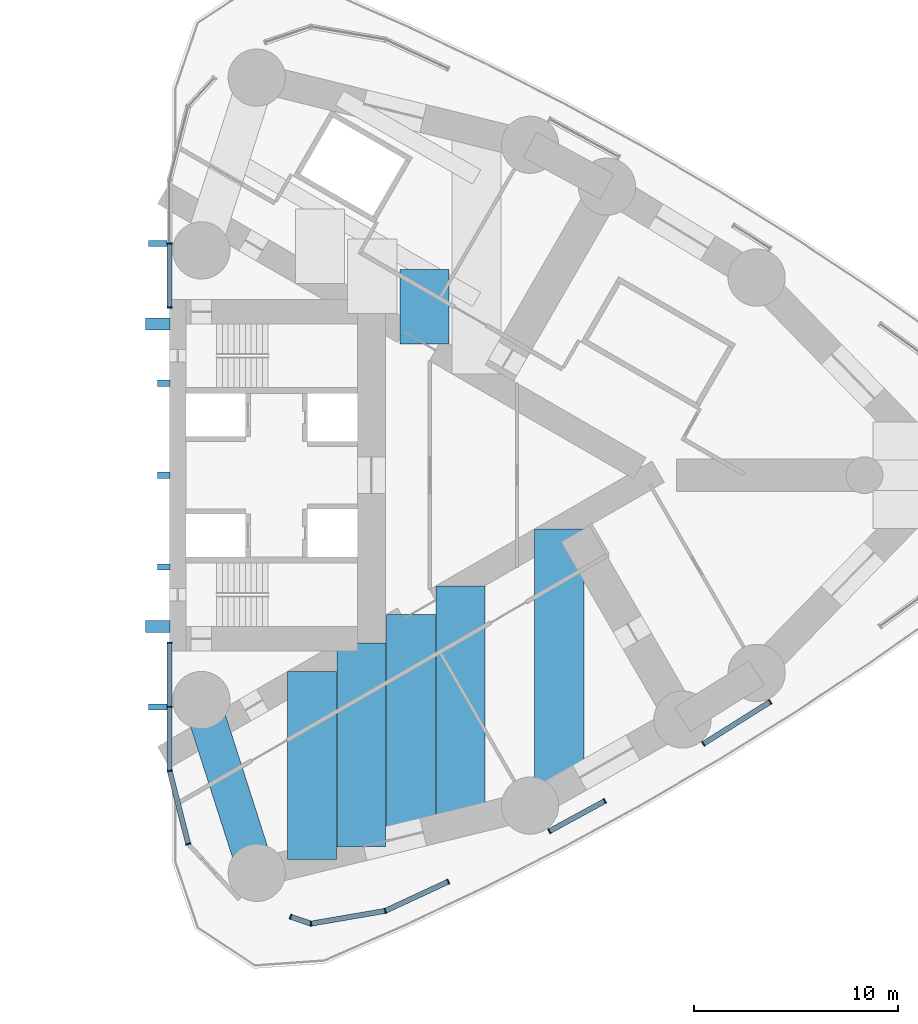
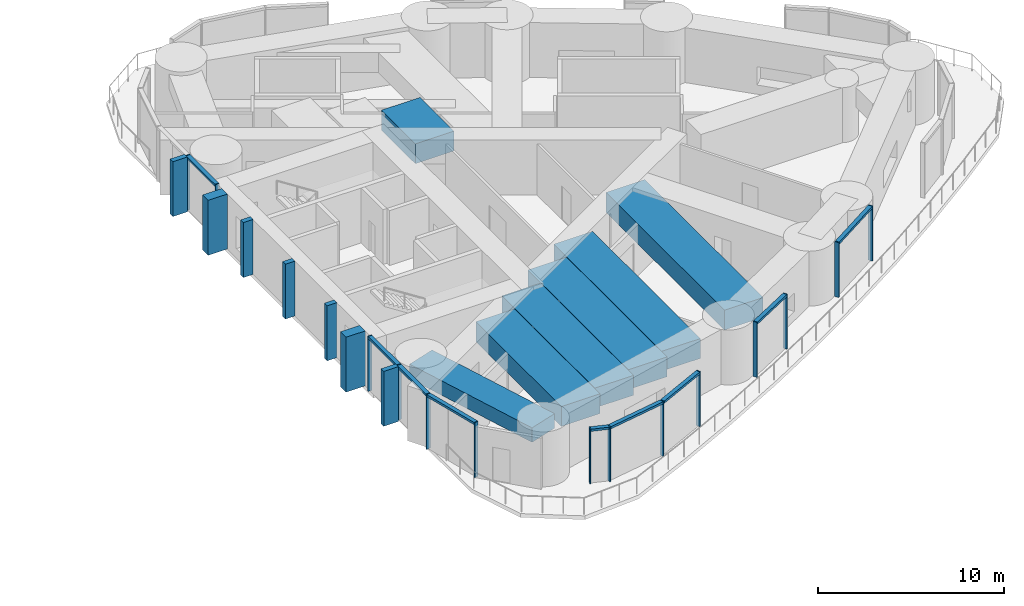
# One storey, part 6 of 17: 30 members, 7 beams, 5 elements without a shape of their own.
"""IFC4 building model written with IfcOpenShell, lengths in metres."""

from ifc_helpers import new_model, si_unit, direction, frame, origin, origin_2d, place, context, subcontext, project, spatial, rectangle, extrude, material, material_profile, profile_set, type_object, element, aggregate, save


model = new_model("IFC4")

# Units and contexts
model_context = context("Model", 3, precision=1e-05, world=origin(), true_north=direction((0.0, 1.0)))
body_context = subcontext(model_context, "Body", "Model", "MODEL_VIEW")
ifc_project = project(units=[si_unit("LENGTHUNIT", "METRE"), si_unit("AREAUNIT", "SQUARE_METRE"), si_unit("VOLUMEUNIT", "CUBIC_METRE"), si_unit("PLANEANGLEUNIT", "RADIAN"), si_unit("MASSUNIT", "GRAM", prefix="KILO")], contexts=[model_context])

# Site, building, storey
site_placement = place(None, origin())
site = spatial("IfcSite", under=ifc_project, at=site_placement, CompositionType="ELEMENT")
building_placement = place(site_placement, origin())
building = spatial("IfcBuilding", under=site, at=building_placement, Name="Lancet Gate Hotel", CompositionType="ELEMENT")
storey_placement = place(building_placement, frame((0.0, 0.0, 152.699951171875)))
storey = spatial("IfcBuildingStorey", under=building, at=storey_placement, Name="L40", CompositionType="ELEMENT", Elevation=152.699951171875)

# Curtain wall, members
ifc_material_1 = material(Name="Aluminium curtain wall", Category="aluminium")
curtain_wall_type = type_object("IfcCurtainWallType", Name="Tower unitised curtain wall", PredefinedType="USERDEFINED", material=ifc_material_1)
curtain_wall_1_placement = place(storey_placement, origin())
curtain_wall_1 = element("IfcCurtainWall", 1, at=curtain_wall_1_placement, inside=storey, type_object=curtain_wall_type, Name="T2 L40 curtain wall 1", ObjectType="UNITISED CURTAIN WALL", PredefinedType="USERDEFINED")
ifc_material_2 = material(Name="Aluminium mullion", Category="aluminium")
ifc_material_profile_1 = material_profile(ifc_material_2, rectangle(XDim=0.06494140625, YDim=0.25, at=origin_2d()), Name="MULLION 65x250")
ifc_profile_set_1 = profile_set([ifc_material_profile_1], Name="Aluminium mullion")
member_type_1 = type_object("IfcMemberType", Name="Aluminium mullion 65x250", PredefinedType="MULLION", material=ifc_profile_set_1)
member_1_placement = place(storey_placement, frame((27.5, -8.199951171875, 0.0), z_axis=(0.0, 0.0, 1.0), x_axis=(0.0, -1.0, 0.0)))
member_1 = element("IfcMember", 2, at=member_1_placement, type_object=member_type_1, Name="T2 L40 curtain wall 1 mullion 1", PredefinedType="MULLION", context=body_context, shape_type="SweptSolid", body=[
    extrude(rectangle(XDim=0.06494140625, YDim=0.25, at=origin_2d()), origin(), (0.0, 0.0, 1.0), 3.60009765625),
])
member_2_placement = place(storey_placement, frame((27.5, -11.332763671875, 0.0), z_axis=(0.0, 0.0, 1.0), x_axis=(0.0, -1.0, 0.0)))
member_2 = element("IfcMember", 3, at=member_2_placement, type_object=member_type_1, Name="T2 L40 curtain wall 1 mullion 2", PredefinedType="MULLION", context=body_context, shape_type="SweptSolid", body=[
    extrude(rectangle(XDim=0.06494140625, YDim=0.25, at=origin_2d()), origin(), (0.0, 0.0, 1.0), 3.60009765625),
])
member_3_placement = place(storey_placement, frame((27.5, -14.465576171875, 0.0), z_axis=(0.0, 0.0, 1.0), x_axis=(0.134206524909, -0.990953383703, 0.0)))
member_3 = element("IfcMember", 4, at=member_3_placement, type_object=member_type_1, Name="T2 L40 curtain wall 1 mullion 3", PredefinedType="MULLION", context=body_context, shape_type="SweptSolid", body=[
    extrude(rectangle(XDim=0.06494140625, YDim=0.25, at=origin_2d()), origin(), (0.0, 0.0, 1.0), 3.60009765625),
])
member_4_placement = place(storey_placement, frame((28.408935546875, -18.04443359375, 0.0), z_axis=(0.0, 0.0, 1.0), x_axis=(0.246166705764, -0.969227503207, 0.0)))
member_4 = element("IfcMember", 5, at=member_4_placement, type_object=member_type_1, Name="T2 L40 curtain wall 1 mullion 4", PredefinedType="MULLION", context=body_context, shape_type="SweptSolid", body=[
    extrude(rectangle(XDim=0.06494140625, YDim=0.25, at=origin_2d()), origin(), (0.0, 0.0, 1.0), 3.60009765625),
])

curtain_wall_2_placement = place(storey_placement, origin())
curtain_wall_2 = element("IfcCurtainWall", 6, at=curtain_wall_2_placement, inside=storey, type_object=curtain_wall_type, Name="T2 L40 curtain wall 2", ObjectType="UNITISED CURTAIN WALL", PredefinedType="USERDEFINED")
member_5_placement = place(storey_placement, frame((33.41552734375, -21.604248046875, 0.0), z_axis=(0.0, 0.0, 1.0), x_axis=(0.946952368511, -0.321373943827, 0.0)))
member_5 = element("IfcMember", 7, at=member_5_placement, type_object=member_type_1, Name="T2 L40 curtain wall 2 mullion 1", PredefinedType="MULLION", context=body_context, shape_type="SweptSolid", body=[
    extrude(rectangle(XDim=0.06494140625, YDim=0.25, at=origin_2d()), origin(), (0.0, 0.0, 1.0), 3.60009765625),
])
member_6_placement = place(storey_placement, frame((34.412109375, -21.9423828125, 0.0), z_axis=(0.0, 0.0, 1.0), x_axis=(0.998083637033, 0.061879346205, 0.0)))
member_6 = element("IfcMember", 8, at=member_6_placement, type_object=member_type_1, Name="T2 L40 curtain wall 2 mullion 2", PredefinedType="MULLION", context=body_context, shape_type="SweptSolid", body=[
    extrude(rectangle(XDim=0.06494140625, YDim=0.25, at=origin_2d()), origin(), (0.0, 0.0, 1.0), 3.60009765625),
])
member_7_placement = place(storey_placement, frame((38.05126953125, -21.31689453125, 0.0), z_axis=(0.0, 0.0, 1.0), x_axis=(0.956241458895, 0.292578660004, 0.0)))
member_7 = element("IfcMember", 9, at=member_7_placement, type_object=member_type_1, Name="T2 L40 curtain wall 2 mullion 3", PredefinedType="MULLION", context=body_context, shape_type="SweptSolid", body=[
    extrude(rectangle(XDim=0.06494140625, YDim=0.25, at=origin_2d()), origin(), (0.0, 0.0, 1.0), 3.60009765625),
])
member_8_placement = place(storey_placement, frame((41.128173828125, -19.8876953125, 0.0), z_axis=(0.0, 0.0, 1.0), x_axis=(0.906934888522, 0.421270824982, 0.0)))
member_8 = element("IfcMember", 10, at=member_8_placement, type_object=member_type_1, Name="T2 L40 curtain wall 2 mullion 4", PredefinedType="MULLION", context=body_context, shape_type="SweptSolid", body=[
    extrude(rectangle(XDim=0.06494140625, YDim=0.25, at=origin_2d()), origin(), (0.0, 0.0, 1.0), 3.60009765625),
])

curtain_wall_3_placement = place(storey_placement, origin())
curtain_wall_3 = element("IfcCurtainWall", 11, at=curtain_wall_3_placement, inside=storey, type_object=curtain_wall_type, Name="T2 L40 curtain wall 3", ObjectType="UNITISED CURTAIN WALL", PredefinedType="USERDEFINED")
member_9_placement = place(storey_placement, frame((46.07763671875, -17.419189453125, 0.0), z_axis=(0.0, 0.0, 1.0), x_axis=(0.878409907967, 0.477907976063, 0.0)))
member_9 = element("IfcMember", 12, at=member_9_placement, type_object=member_type_1, Name="T2 L40 curtain wall 3 mullion 1", PredefinedType="MULLION", context=body_context, shape_type="SweptSolid", body=[
    extrude(rectangle(XDim=0.06494140625, YDim=0.25, at=origin_2d()), origin(), (0.0, 0.0, 1.0), 3.60009765625),
])
member_10_placement = place(storey_placement, frame((48.790283203125, -15.943359375, 0.0), z_axis=(0.0, 0.0, 1.0), x_axis=(0.878409907967, 0.477907976063, 0.0)))
member_10 = element("IfcMember", 13, at=member_10_placement, type_object=member_type_1, Name="T2 L40 curtain wall 3 mullion 2", PredefinedType="MULLION", context=body_context, shape_type="SweptSolid", body=[
    extrude(rectangle(XDim=0.06494140625, YDim=0.25, at=origin_2d()), origin(), (0.0, 0.0, 1.0), 3.60009765625),
])

curtain_wall_4_placement = place(storey_placement, origin())
curtain_wall_4 = element("IfcCurtainWall", 14, at=curtain_wall_4_placement, inside=storey, type_object=curtain_wall_type, Name="T2 L40 curtain wall 4", ObjectType="UNITISED CURTAIN WALL", PredefinedType="USERDEFINED")
member_11_placement = place(storey_placement, frame((53.614990234375, -13.1435546875, 0.0), z_axis=(0.0, 0.0, 1.0), x_axis=(0.846352453444, 0.532623248225, 0.0)))
member_11 = element("IfcMember", 15, at=member_11_placement, type_object=member_type_1, Name="T2 L40 curtain wall 4 mullion 1", PredefinedType="MULLION", context=body_context, shape_type="SweptSolid", body=[
    extrude(rectangle(XDim=0.06494140625, YDim=0.25, at=origin_2d()), origin(), (0.0, 0.0, 1.0), 3.60009765625),
])
member_12_placement = place(storey_placement, frame((56.8798828125, -11.0888671875, 0.0), z_axis=(0.0, 0.0, 1.0), x_axis=(0.846352453444, 0.532623248225, 0.0)))
member_12 = element("IfcMember", 16, at=member_12_placement, type_object=member_type_1, Name="T2 L40 curtain wall 4 mullion 2", PredefinedType="MULLION", context=body_context, shape_type="SweptSolid", body=[
    extrude(rectangle(XDim=0.06494140625, YDim=0.25, at=origin_2d()), origin(), (0.0, 0.0, 1.0), 3.60009765625),
])

curtain_wall_5_placement = place(storey_placement, origin())
curtain_wall_5 = element("IfcCurtainWall", 17, at=curtain_wall_5_placement, inside=storey, type_object=curtain_wall_type, Name="T2 L40 curtain wall 10", ObjectType="UNITISED CURTAIN WALL", PredefinedType="USERDEFINED")
member_13_placement = place(storey_placement, frame((27.5, 11.332763671875, 0.0), z_axis=(0.0, 0.0, 1.0), x_axis=(0.0, -1.0, 0.0)))
member_13 = element("IfcMember", 18, at=member_13_placement, type_object=member_type_1, Name="T2 L40 curtain wall 10 mullion 4", PredefinedType="MULLION", context=body_context, shape_type="SweptSolid", body=[
    extrude(rectangle(XDim=0.06494140625, YDim=0.25, at=origin_2d()), origin(), (0.0, 0.0, 1.0), 3.60009765625),
])
member_14_placement = place(storey_placement, frame((27.5, 8.199951171875, 0.0), z_axis=(0.0, 0.0, 1.0), x_axis=(0.0, -1.0, 0.0)))
member_14 = element("IfcMember", 19, at=member_14_placement, type_object=member_type_1, Name="T2 L40 curtain wall 10 mullion 5", PredefinedType="MULLION", context=body_context, shape_type="SweptSolid", body=[
    extrude(rectangle(XDim=0.06494140625, YDim=0.25, at=origin_2d()), origin(), (0.0, 0.0, 1.0), 3.60009765625),
])

# Member
ifc_material_3 = material(Name="Aluminium transom", Category="aluminium")
ifc_material_profile_2 = material_profile(ifc_material_3, rectangle(XDim=0.25, YDim=0.14990234375, at=origin_2d()), Name="TRANSOM 250x150")
ifc_profile_set_2 = profile_set([ifc_material_profile_2], Name="Aluminium transom")
member_type_2 = type_object("IfcMemberType", Name="Aluminium transom 250x150", PredefinedType="USERDEFINED", material=ifc_profile_set_2)
member_15_placement = place(storey_placement, frame((27.5, -8.232421875, 3.525146484375), z_axis=(0.0, -1.0, 0.0), x_axis=(1.0, 0.0, 0.0)))
member_15 = element("IfcMember", 20, at=member_15_placement, type_object=member_type_2, Name="T2 L40 curtain wall 1 transom 1", ObjectType="TRANSOM", PredefinedType="USERDEFINED", context=body_context, shape_type="SweptSolid", body=[
    extrude(rectangle(XDim=0.25, YDim=0.14990234375, at=origin_2d()), origin(), (0.0, 0.0, 1.0), 3.06787109375),
])

member_16_placement = place(storey_placement, frame((27.5, -11.365234375, 3.525146484375), z_axis=(0.0, -1.0, 0.0), x_axis=(1.0, 0.0, 0.0)))
member_16 = element("IfcMember", 21, at=member_16_placement, type_object=member_type_2, Name="T2 L40 curtain wall 1 transom 2", ObjectType="TRANSOM", PredefinedType="USERDEFINED", context=body_context, shape_type="SweptSolid", body=[
    extrude(rectangle(XDim=0.25, YDim=0.14990234375, at=origin_2d()), origin(), (0.0, 0.0, 1.0), 3.06787109375),
])

member_17_placement = place(storey_placement, frame((27.508056640625, -14.4970703125, 3.525146484375), z_axis=(0.246128756616, -0.969237140831, 0.0), x_axis=(0.969237140831, 0.246128756616, 0.0)))
member_17 = element("IfcMember", 22, at=member_17_placement, type_object=member_type_2, Name="T2 L40 curtain wall 1 transom 3", ObjectType="TRANSOM", PredefinedType="USERDEFINED", context=body_context, shape_type="SweptSolid", body=[
    extrude(rectangle(XDim=0.25, YDim=0.14990234375, at=origin_2d()), origin(), (0.0, 0.0, 1.0), 3.62744140625),
])

member_18_placement = place(storey_placement, frame((33.4462890625, -21.61474609375, 3.525146484375), z_axis=(0.946938393132, -0.321415120384, 0.0), x_axis=(0.321415120384, 0.946938393132, 0.0)))
member_18 = element("IfcMember", 23, at=member_18_placement, type_object=member_type_2, Name="T2 L40 curtain wall 2 transom 1", ObjectType="TRANSOM", PredefinedType="USERDEFINED", context=body_context, shape_type="SweptSolid", body=[
    extrude(rectangle(XDim=0.25, YDim=0.14990234375, at=origin_2d()), origin(), (0.0, 0.0, 1.0), 0.987548828125),
])

member_19_placement = place(storey_placement, frame((34.444091796875, -21.93701171875, 3.525146484375), z_axis=(0.985536950873, 0.169460669373, 0.0), x_axis=(-0.169460669373, 0.985536950873, 0.0)))
member_19 = element("IfcMember", 24, at=member_19_placement, type_object=member_type_2, Name="T2 L40 curtain wall 2 transom 2", ObjectType="TRANSOM", PredefinedType="USERDEFINED", context=body_context, shape_type="SweptSolid", body=[
    extrude(rectangle(XDim=0.25, YDim=0.14990234375, at=origin_2d()), origin(), (0.0, 0.0, 1.0), 3.627685546875),
])

member_20_placement = place(storey_placement, frame((38.080810546875, -21.30322265625, 3.525146484375), z_axis=(0.906925879619, 0.4212902193, 0.0), x_axis=(-0.4212902193, 0.906925879619, 0.0)))
member_20 = element("IfcMember", 25, at=member_20_placement, type_object=member_type_2, Name="T2 L40 curtain wall 2 transom 3", ObjectType="TRANSOM", PredefinedType="USERDEFINED", context=body_context, shape_type="SweptSolid", body=[
    extrude(rectangle(XDim=0.25, YDim=0.14990234375, at=origin_2d()), origin(), (0.0, 0.0, 1.0), 3.32763671875),
])

aggregate(curtain_wall_2, [member_5, member_6, member_7, member_8, member_18, member_19, member_20])

member_21_placement = place(storey_placement, frame((46.106201171875, -17.403564453125, 3.525146484375), z_axis=(0.878401232509, 0.477923921484, 0.0), x_axis=(-0.477923921484, 0.878401232509, 0.0)))
member_21 = element("IfcMember", 26, at=member_21_placement, type_object=member_type_2, Name="T2 L40 curtain wall 3 transom 1", ObjectType="TRANSOM", PredefinedType="USERDEFINED", context=body_context, shape_type="SweptSolid", body=[
    extrude(rectangle(XDim=0.25, YDim=0.14990234375, at=origin_2d()), origin(), (0.0, 0.0, 1.0), 3.023193359375),
])

aggregate(curtain_wall_3, [member_9, member_10, member_21])

member_22_placement = place(storey_placement, frame((53.642333984375, -13.126220703125, 3.525146484375), z_axis=(0.846359662586, 0.532611792534, 0.0), x_axis=(-0.532611792534, 0.846359662586, 0.0)))
member_22 = element("IfcMember", 27, at=member_22_placement, type_object=member_type_2, Name="T2 L40 curtain wall 4 transom 1", ObjectType="TRANSOM", PredefinedType="USERDEFINED", context=body_context, shape_type="SweptSolid", body=[
    extrude(rectangle(XDim=0.25, YDim=0.14990234375, at=origin_2d()), origin(), (0.0, 0.0, 1.0), 3.792724609375),
])

aggregate(curtain_wall_4, [member_11, member_12, member_22])

member_23_placement = place(storey_placement, frame((27.5, 11.30029296875, 3.525146484375), z_axis=(0.0, -1.0, 0.0), x_axis=(1.0, 0.0, 0.0)))
member_23 = element("IfcMember", 28, at=member_23_placement, type_object=member_type_2, Name="T2 L40 curtain wall 10 transom 4", ObjectType="TRANSOM", PredefinedType="USERDEFINED", context=body_context, shape_type="SweptSolid", body=[
    extrude(rectangle(XDim=0.25, YDim=0.14990234375, at=origin_2d()), origin(), (0.0, 0.0, 1.0), 3.06787109375),
])

# Beam
ifc_material_4 = material(Name="Concrete C50/60", Category="concrete")
ifc_material_profile_3 = material_profile(ifc_material_4, rectangle(XDim=1.800048828125, YDim=0.949951171875, at=origin_2d()), Name="RC 1800x950")
ifc_profile_set_3 = profile_set([ifc_material_profile_3], Name="Concrete C50/60")
beam_type_1 = type_object("IfcBeamType", Name="Edge beam RC 1800x950", PredefinedType="SPANDREL", material=ifc_profile_set_3)
beam_1_placement = place(storey_placement, frame((31.759765625, -19.455810546875, 2.875), z_axis=(-0.305169772986, 0.952297962644, 0.0), x_axis=(-0.952297962644, -0.305169772986, 0.0)))
element("IfcBeam", 29, at=beam_1_placement, inside=storey, type_object=beam_type_1, Name="T2 edge beam EB1 L40", PredefinedType="SPANDREL", context=body_context, shape_type="SweptSolid", body=[
    extrude(rectangle(XDim=1.800048828125, YDim=0.949951171875, at=origin_2d()), origin(), (0.0, 0.0, 1.0), 8.87939453125),
])

# Members
ifc_material_5 = material(Name="Concrete C60/75", Category="concrete")
ifc_material_profile_4 = material_profile(ifc_material_5, rectangle(XDim=0.60009765625, YDim=1.199951171875, at=origin_2d()), Name="FIN 600x1200")
ifc_profile_set_4 = profile_set([ifc_material_profile_4], Name="Concrete C60/75")
member_type_3 = type_object("IfcMemberType", Name="Exposed concrete buttress pilaster 600x1200", PredefinedType="USERDEFINED", material=ifc_profile_set_4)
for number, where, z_axis, x_axis, name in (
    (30, (26.909912109375, -7.39990234375, 0.0), (0.0, 0.0, 1.0), (0.0, 1.0, 0.0), "T2 buttress pilaster S L40"),
    (31, (26.909912109375, 7.39990234375, 0.0), (0.0, 0.0, 1.0), (0.0, 1.0, 0.0), "T2 buttress pilaster N L40"),
):
    element("IfcMember", number, at=place(storey_placement, frame(where, z_axis=z_axis, x_axis=x_axis)), inside=storey, type_object=member_type_3, Name=name, ObjectType="FIN", PredefinedType="USERDEFINED", context=body_context, shape_type="SweptSolid", body=[
        extrude(rectangle(XDim=0.60009765625, YDim=1.199951171875, at=origin_2d()), origin(), (0.0, 0.0, 1.0), 3.60009765625),
    ])

# Member
ifc_material_6 = material(Name="Precast concrete C50/60", Category="concrete")
ifc_material_profile_5 = material_profile(ifc_material_6, rectangle(XDim=0.300048828125, YDim=0.89990234375, at=origin_2d()), Name="FIN 300x900")
ifc_profile_set_5 = profile_set([ifc_material_profile_5], Name="Precast concrete C50/60")
member_type_4 = type_object("IfcMemberType", Name="Exposed concrete fin 300x900", PredefinedType="USERDEFINED", material=ifc_profile_set_5)
member_24_placement = place(storey_placement, frame((26.925048828125, -11.332763671875, 0.0), z_axis=(0.0, 0.0, 1.0), x_axis=(0.0, -1.0, 0.0)))
member_24 = element("IfcMember", 32, at=member_24_placement, type_object=member_type_4, Name="T2 L40 curtain wall 1 fin 2", ObjectType="FIN", PredefinedType="USERDEFINED", context=body_context, shape_type="SweptSolid", body=[
    extrude(rectangle(XDim=0.300048828125, YDim=0.89990234375, at=origin_2d()), origin(), (0.0, 0.0, 1.0), 3.60009765625),
])

aggregate(curtain_wall_1, [member_1, member_2, member_24, member_3, member_4, member_15, member_16, member_17])

member_25_placement = place(storey_placement, frame((26.925048828125, 11.332763671875, 0.0), z_axis=(0.0, 0.0, 1.0), x_axis=(0.0, -1.0, 0.0)))
member_25 = element("IfcMember", 33, at=member_25_placement, type_object=member_type_4, Name="T2 L40 curtain wall 10 fin 4", ObjectType="FIN", PredefinedType="USERDEFINED", context=body_context, shape_type="SweptSolid", body=[
    extrude(rectangle(XDim=0.300048828125, YDim=0.89990234375, at=origin_2d()), origin(), (0.0, 0.0, 1.0), 3.60009765625),
])

aggregate(curtain_wall_5, [member_13, member_25, member_14, member_23])

# Members
ifc_material_7 = material(Name="Concrete C60/75", Category="concrete")
ifc_material_profile_6 = material_profile(ifc_material_7, rectangle(XDim=0.300048828125, YDim=0.60009765625, at=origin_2d()), Name="FIN 300x600")
ifc_profile_set_6 = profile_set([ifc_material_profile_6], Name="Concrete C60/75")
member_type_5 = type_object("IfcMemberType", Name="Exposed concrete rib 300x600", PredefinedType="USERDEFINED", material=ifc_profile_set_6)
for number, where, z_axis, x_axis, name in (
    (34, (27.2099609375, -4.5, 0.0), (0.0, 0.0, 1.0), (0.0, 1.0, 0.0), "T2 core rib 1 L40"),
    (35, (27.2099609375, 0.0, 0.0), (0.0, 0.0, 1.0), (0.0, 1.0, 0.0), "T2 core rib 2 L40"),
    (36, (27.2099609375, 4.5, 0.0), (0.0, 0.0, 1.0), (0.0, 1.0, 0.0), "T2 core rib 3 L40"),
):
    element("IfcMember", number, at=place(storey_placement, frame(where, z_axis=z_axis, x_axis=x_axis)), inside=storey, type_object=member_type_5, Name=name, ObjectType="FIN", PredefinedType="USERDEFINED", context=body_context, shape_type="SweptSolid", body=[
        extrude(rectangle(XDim=0.300048828125, YDim=0.60009765625, at=origin_2d()), origin(), (0.0, 0.0, 1.0), 3.60009765625),
    ])

# Beams
ifc_material_8 = material(Name="Concrete C50/60", Category="concrete")
ifc_material_profile_7 = material_profile(ifc_material_8, rectangle(XDim=2.39990234375, YDim=1.300048828125, at=origin_2d()), Name="RC 2400x1300")
ifc_profile_set_7 = profile_set([ifc_material_profile_7], Name="Concrete C50/60")
beam_type_2 = type_object("IfcBeamType", Name="Floor beam RC 2400x1300", PredefinedType="BEAM", material=ifc_profile_set_7)
beam_2_placement = place(storey_placement, frame((34.460693359375, -18.7919921875, 2.699951171875), z_axis=(0.0, 1.0, 0.0), x_axis=(-1.0, 0.0, 0.0)))
element("IfcBeam", 37, at=beam_2_placement, inside=storey, type_object=beam_type_2, Name="T2 floor beam F01S L40", PredefinedType="BEAM", context=body_context, shape_type="SweptSolid", body=[
    extrude(rectangle(XDim=2.39990234375, YDim=1.300048828125, at=origin_2d()), origin(), (0.0, 0.0, 1.0), 9.18408203125),
])
beam_3_placement = place(storey_placement, frame((36.880859375, -18.197021484375, 2.699951171875), z_axis=(0.0, 1.0, 0.0), x_axis=(-1.0, 0.0, 0.0)))
element("IfcBeam", 38, at=beam_3_placement, inside=storey, type_object=beam_type_2, Name="T2 floor beam F03S L40", PredefinedType="BEAM", context=body_context, shape_type="SweptSolid", body=[
    extrude(rectangle(XDim=2.39990234375, YDim=1.300048828125, at=origin_2d()), origin(), (0.0, 0.0, 1.0), 9.986328125),
])
beam_4_placement = place(storey_placement, frame((39.301025390625, -17.60205078125, 2.699951171875), z_axis=(0.0, 1.0, 0.0), x_axis=(-1.0, 0.0, 0.0)))
element("IfcBeam", 39, at=beam_4_placement, inside=storey, type_object=beam_type_2, Name="T2 floor beam F05S L40", PredefinedType="BEAM", context=body_context, shape_type="SweptSolid", body=[
    extrude(rectangle(XDim=2.39990234375, YDim=1.300048828125, at=origin_2d()), origin(), (0.0, 0.0, 1.0), 10.78857421875),
])
beam_5_placement = place(storey_placement, frame((41.721435546875, -17.007080078125, 2.699951171875), z_axis=(0.0, 1.0, 0.0), x_axis=(-1.0, 0.0, 0.0)))
element("IfcBeam", 40, at=beam_5_placement, inside=storey, type_object=beam_type_2, Name="T2 floor beam F07S L40", PredefinedType="BEAM", context=body_context, shape_type="SweptSolid", body=[
    extrude(rectangle(XDim=2.39990234375, YDim=1.300048828125, at=origin_2d()), origin(), (0.0, 0.0, 1.0), 11.591064453125),
])
beam_6_placement = place(storey_placement, frame((46.561767578125, -15.36181640625, 2.699951171875), z_axis=(0.0, 1.0, 0.0), x_axis=(-1.0, 0.0, 0.0)))
element("IfcBeam", 41, at=beam_6_placement, inside=storey, type_object=beam_type_2, Name="T2 floor beam F09S L40", PredefinedType="BEAM", context=body_context, shape_type="SweptSolid", body=[
    extrude(rectangle(XDim=2.39990234375, YDim=1.300048828125, at=origin_2d()), origin(), (0.0, 0.0, 1.0), 12.740478515625),
])
beam_7_placement = place(storey_placement, frame((39.9658203125, 6.429443359375, 2.699951171875), z_axis=(0.0, 1.0, 0.0), x_axis=(-1.0, 0.0, 0.0)))
element("IfcBeam", 42, at=beam_7_placement, inside=storey, type_object=beam_type_2, Name="T2 floor beam F06NA L40", PredefinedType="BEAM", context=body_context, shape_type="SweptSolid", body=[
    extrude(rectangle(XDim=2.39990234375, YDim=1.300048828125, at=origin_2d()), origin(), (0.0, 0.0, 1.0), 3.64501953125),
])

save(model, "model.ifc")
